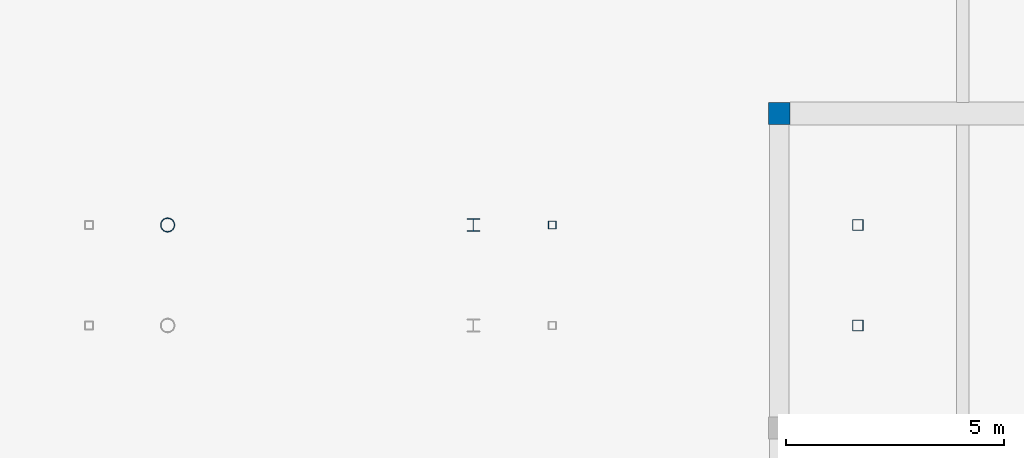
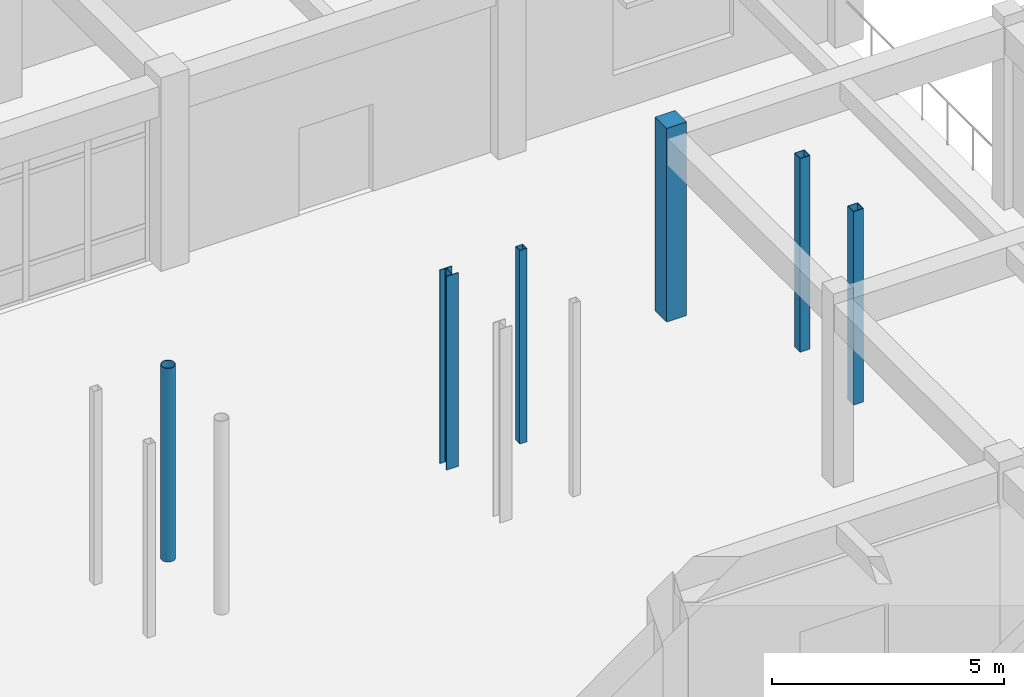
# One storey, part 27 of 121: 6 columns.
"""IFC4 building model written with IfcOpenShell, lengths in metres."""

from ifc_helpers import new_model, si_unit, direction, frame, origin, origin_2d, place, context, subcontext, project, spatial, rectangle, hollow_rectangle, hollow_circle, i_section, extrude, material, material_profile, profile_set, type_object, element, save


model = new_model("IFC4")

# Units and contexts
model_context = context("Model", 3, precision=1e-05, world=origin(), true_north=direction((0.0, 1.0)))
body_context = subcontext(model_context, "Body", "Model", "MODEL_VIEW")
ifc_project = project(units=[si_unit("LENGTHUNIT", "METRE"), si_unit("AREAUNIT", "SQUARE_METRE"), si_unit("VOLUMEUNIT", "CUBIC_METRE"), si_unit("PLANEANGLEUNIT", "RADIAN"), si_unit("MASSUNIT", "GRAM", prefix="KILO")], contexts=[model_context])

# Site, building, storey
site_placement = place(None, origin())
site = spatial("IfcSite", under=ifc_project, at=site_placement, CompositionType="ELEMENT")
building_placement = place(site_placement, origin())
building = spatial("IfcBuilding", under=site, at=building_placement, Name="Malvenik Polytechnic", CompositionType="ELEMENT")
storey_placement = place(building_placement, origin())
storey = spatial("IfcBuildingStorey", under=building, at=storey_placement, Name="L00", CompositionType="ELEMENT", Elevation=0.0)

# Columns
ifc_material_1 = material(Name="Concrete C35/45", Category="concrete")
ifc_material_profile_1 = material_profile(ifc_material_1, rectangle(XDim=0.5, YDim=0.5, at=origin_2d()), Name="RC COL 500x500")
ifc_profile_set_1 = profile_set([ifc_material_profile_1], Name="Concrete C35/45")
column_type_1 = type_object("IfcColumnType", Name="STR-COL-C-08", PredefinedType="COLUMN", material=ifc_profile_set_1)
column_1_placement = place(storey_placement, frame((126.0, 108.0, 0.0), z_axis=(0.0, 0.0, 1.0), x_axis=(1.0, 0.0, 0.0)))
element("IfcColumn", 1, at=column_1_placement, inside=storey, type_object=column_type_1, Name="Column C-08 L00 (126.0,108.0)", PredefinedType="COLUMN", context=body_context, shape_type="SweptSolid", body=[
    extrude(rectangle(XDim=0.5, YDim=0.5, at=origin_2d()), origin(), (0.0, 0.0, 1.0), 5.10009765625),
])
ifc_material_2 = material(Name="Steel S355J2H", Category="steel")
ifc_material_profile_2 = material_profile(ifc_material_2, hollow_rectangle(XDim=0.25, YDim=0.25, WallThickness=0.010009765625, at=origin_2d()), Name="SHS 250x250x10.0")
ifc_profile_set_2 = profile_set([ifc_material_profile_2], Name="Steel S355J2H")
column_type_2 = type_object("IfcColumnType", Name="STR-SCOL-SC-01", PredefinedType="COLUMN", material=ifc_profile_set_2)
for number, where, z_axis, x_axis, name in (
    (2, (127.800048828125, 103.14990234375, 0.0), (0.0, 0.0, 1.0), (1.0, 0.0, 0.0), "Bridge-Ramp Support Column SC-01 L00"),
    (3, (127.800048828125, 105.449951171875, 0.0), (0.0, 0.0, 1.0), (1.0, 0.0, 0.0), "Bridge-Ramp Support Column SC-01 L00"),
):
    element("IfcColumn", number, at=place(storey_placement, frame(where, z_axis=z_axis, x_axis=x_axis)), inside=storey, type_object=column_type_2, Name=name, PredefinedType="COLUMN", context=body_context, shape_type="SweptSolid", body=[
        extrude(hollow_rectangle(XDim=0.25, YDim=0.25, WallThickness=0.010009765625, at=origin_2d()), origin(), (0.0, 0.0, 1.0), 5.10009765625),
    ])
ifc_material_profile_3 = material_profile(ifc_material_2, hollow_circle(Radius=0.161865234375, WallThickness=0.012451171875, at=origin_2d()), Name="CHS 323.9x12.5")
ifc_profile_set_3 = profile_set([ifc_material_profile_3], Name="Steel S355J2H")
column_type_3 = type_object("IfcColumnType", Name="STR-SCOL-SC-04", PredefinedType="COLUMN", material=ifc_profile_set_3)
column_2_placement = place(storey_placement, frame((112.0, 105.449951171875, 0.0), z_axis=(0.0, 0.0, 1.0), x_axis=(1.0, 0.0, 0.0)))
element("IfcColumn", 4, at=column_2_placement, inside=storey, type_object=column_type_3, Name="Bridge-Ramp Support Column SC-04 L00", PredefinedType="COLUMN", context=body_context, shape_type="SweptSolid", body=[
    extrude(hollow_circle(Radius=0.161865234375, WallThickness=0.012451171875, at=origin_2d()), origin(), (0.0, 0.0, 1.0), 5.10009765625),
])
ifc_material_3 = material(Name="Steel S355", Category="steel")
ifc_material_profile_4 = material_profile(ifc_material_3, i_section(OverallWidth=0.300048828125, OverallDepth=0.300048828125, WebThickness=0.010986328125, FlangeThickness=0.01904296875, FilletRadius=0.027099609375, at=origin_2d()), Name="HEB 300")
ifc_profile_set_4 = profile_set([ifc_material_profile_4], Name="Steel S355")
column_type_4 = type_object("IfcColumnType", Name="STR-SCOL-SC-05", PredefinedType="COLUMN", material=ifc_profile_set_4)
column_3_placement = place(storey_placement, frame((119.0, 105.449951171875, 0.0), z_axis=(0.0, 0.0, 1.0), x_axis=(1.0, 0.0, 0.0)))
element("IfcColumn", 5, at=column_3_placement, inside=storey, type_object=column_type_4, Name="Bridge-Ramp Support Column SC-05 L00", PredefinedType="COLUMN", context=body_context, shape_type="SweptSolid", body=[
    extrude(i_section(OverallWidth=0.300048828125, OverallDepth=0.300048828125, WebThickness=0.010986328125, FlangeThickness=0.01904296875, FilletRadius=0.027099609375, at=origin_2d()), origin(), (0.0, 0.0, 1.0), 5.10009765625),
])
ifc_material_profile_5 = material_profile(ifc_material_2, hollow_rectangle(XDim=0.179931640625, YDim=0.179931640625, WallThickness=0.008056640625, at=origin_2d()), Name="SHS 180x180x8.0")
ifc_profile_set_5 = profile_set([ifc_material_profile_5], Name="Steel S355J2H")
column_type_5 = type_object("IfcColumnType", Name="STR-SCOL-SC-06", PredefinedType="COLUMN", material=ifc_profile_set_5)
column_4_placement = place(storey_placement, frame((120.800048828125, 105.449951171875, 0.0), z_axis=(0.0, 0.0, 1.0), x_axis=(1.0, 0.0, 0.0)))
element("IfcColumn", 6, at=column_4_placement, inside=storey, type_object=column_type_5, Name="Bridge-Ramp Support Column SC-06 L00", PredefinedType="COLUMN", context=body_context, shape_type="SweptSolid", body=[
    extrude(hollow_rectangle(XDim=0.179931640625, YDim=0.179931640625, WallThickness=0.008056640625, at=origin_2d()), origin(), (0.0, 0.0, 1.0), 5.10009765625),
])

save(model, "model.ifc")
